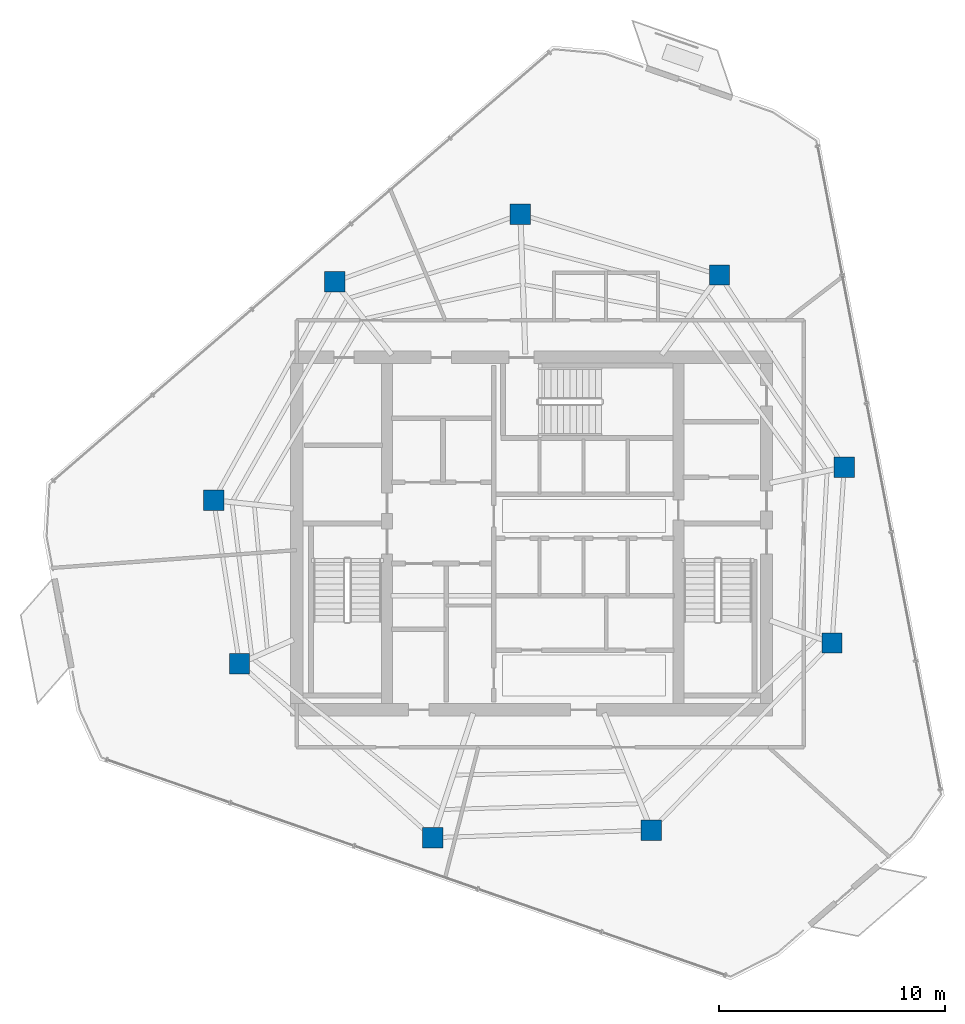
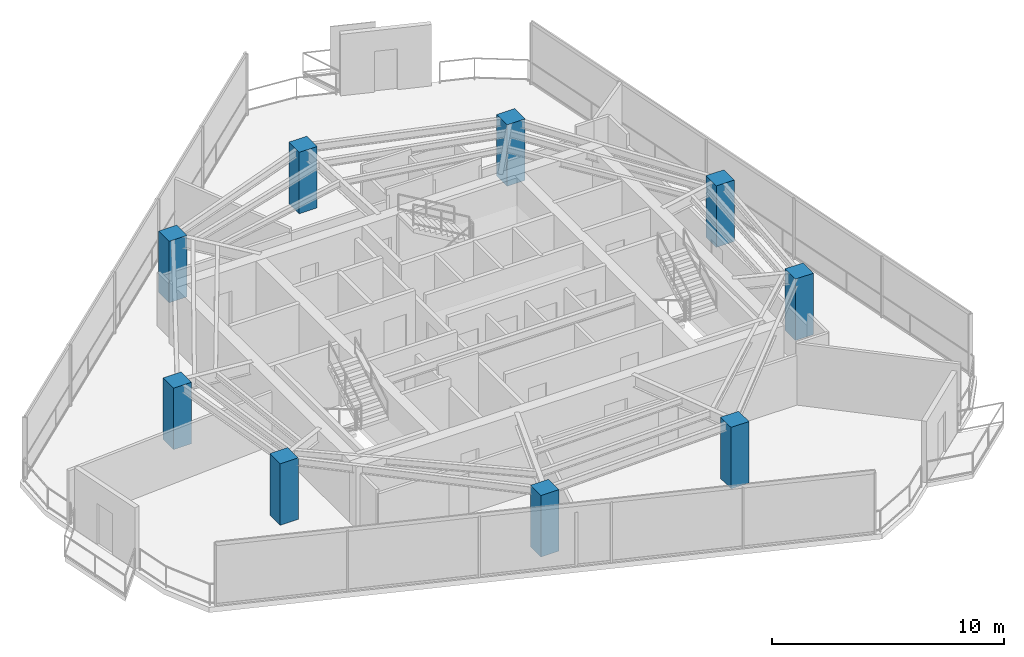
# One storey, part 1 of 18: 9 columns.
"""IFC4 building model written with IfcOpenShell, lengths in metres."""

from ifc_helpers import new_model, si_unit, direction, frame, origin, origin_2d, place, context, subcontext, project, spatial, rectangle, extrude, material, material_profile, profile_set, type_object, element, save


model = new_model("IFC4")

# Units and contexts
model_context = context("Model", 3, precision=1e-05, world=origin(), true_north=direction((0.0, 1.0)))
body_context = subcontext(model_context, "Body", "Model", "MODEL_VIEW")
ifc_project = project(units=[si_unit("LENGTHUNIT", "METRE"), si_unit("AREAUNIT", "SQUARE_METRE"), si_unit("VOLUMEUNIT", "CUBIC_METRE"), si_unit("PLANEANGLEUNIT", "RADIAN"), si_unit("MASSUNIT", "GRAM", prefix="KILO")], contexts=[model_context])

# Site, building, storey
site_placement = place(None, origin())
site = spatial("IfcSite", under=ifc_project, at=site_placement, CompositionType="ELEMENT")
building_placement = place(site_placement, origin())
building = spatial("IfcBuilding", under=site, at=building_placement, Name="Qarnah Convention Tower", CompositionType="ELEMENT")
storey_placement = place(building_placement, frame((0.0, 0.0, 220.199951171875)))
storey = spatial("IfcBuildingStorey", under=building, at=storey_placement, Name="L59", CompositionType="ELEMENT", Elevation=220.199951171875)

# Columns
ifc_material = material(Name="Concrete C50/60", Category="concrete")
ifc_material_profile = material_profile(ifc_material, rectangle(XDim=0.89990234375, YDim=0.89990234375, at=origin_2d()), Name="RC-COL-900X900")
ifc_profile_set = profile_set([ifc_material_profile], Name="Concrete C50/60")
column_type = type_object("IfcColumnType", Name="COL-Z4-900", PredefinedType="COLUMN", material=ifc_profile_set)
for number, where, z_axis, x_axis, name in (
    (1, (51.041015625, 29.342041015625, 0.0), (0.0, 0.0, 1.0), (1.0, 0.0, 0.0), "L59 plumb column PC-Z4-01"),
    (2, (45.51708984375, 37.847900390625, 0.0), (0.0, 0.0, 1.0), (1.0, 0.0, 0.0), "L59 plumb column PC-Z4-02"),
    (3, (36.7060546875, 40.541015625, 0.0), (0.0, 0.0, 1.0), (1.0, 0.0, 0.0), "L59 plumb column PC-Z4-03"),
    (4, (28.488037109375, 37.550048828125, 0.0), (0.0, 0.0, 1.0), (1.0, 0.0, 0.0), "L59 plumb column PC-Z4-04"),
    (5, (23.1279296875, 27.87890625, 0.0), (0.0, 0.0, 1.0), (1.0, 0.0, 0.0), "L59 plumb column PC-Z4-05"),
    (6, (24.27294921875, 20.64501953125, 0.0), (0.0, 0.0, 1.0), (1.0, 0.0, 0.0), "L59 plumb column PC-Z4-06"),
    (7, (32.826904296875, 12.943115234375, 0.0), (0.0, 0.0, 1.0), (1.0, 0.0, 0.0), "L59 plumb column PC-Z4-07"),
    (8, (42.5009765625, 13.280029296875, 0.0), (0.0, 0.0, 1.0), (1.0, 0.0, 0.0), "L59 plumb column PC-Z4-08"),
    (9, (50.4970703125, 21.56005859375, 0.0), (0.0, 0.0, 1.0), (1.0, 0.0, 0.0), "L59 plumb column PC-Z4-09"),
):
    element("IfcColumn", number, at=place(storey_placement, frame(where, z_axis=z_axis, x_axis=x_axis)), inside=storey, type_object=column_type, Name=name, PredefinedType="COLUMN", context=body_context, shape_type="SweptSolid", body=[
        extrude(rectangle(XDim=0.89990234375, YDim=0.89990234375, at=origin_2d()), origin(), (0.0, 0.0, 1.0), 3.239990234375),
    ])

save(model, "model.ifc")
